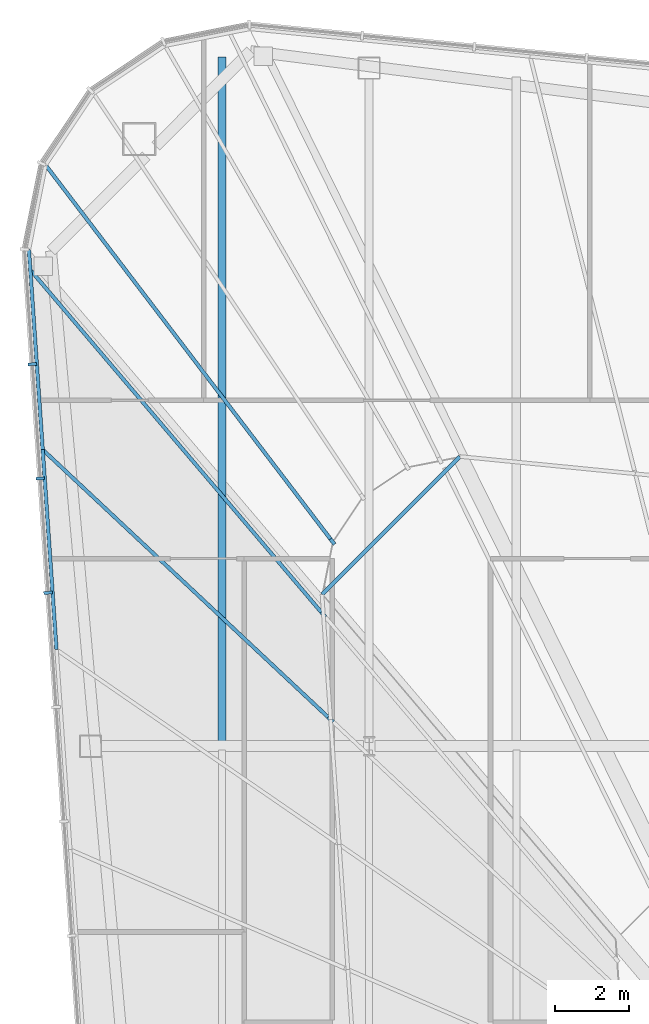
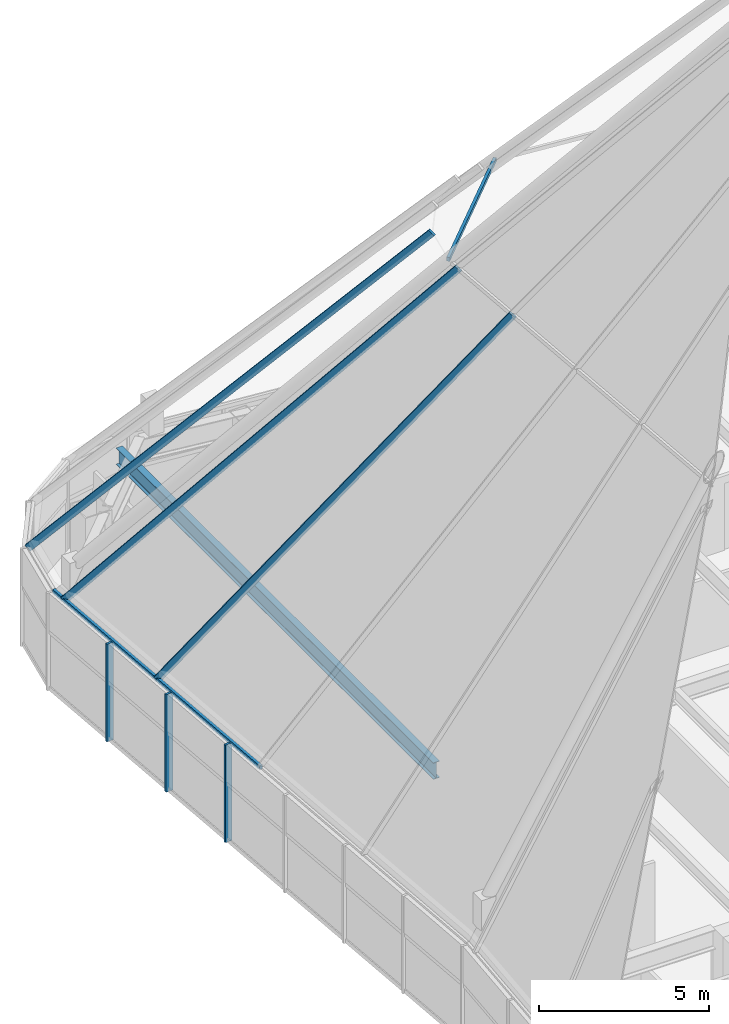
# One storey, part 14 of 28: 9 members, 1 beam, 5 elements without a shape of their own.
"""IFC4 building model written with IfcOpenShell, lengths in metres."""

from ifc_helpers import new_model, si_unit, direction, frame, origin, origin_2d, place, context, subcontext, project, spatial, rectangle, i_section, extrude, material, material_profile, profile_set, type_object, element, aggregate, save


model = new_model("IFC4")

# Units and contexts
model_context = context("Model", 3, precision=1e-05, world=origin(), true_north=direction((0.0, 1.0)))
body_context = subcontext(model_context, "Body", "Model", "MODEL_VIEW")
ifc_project = project(units=[si_unit("LENGTHUNIT", "METRE"), si_unit("AREAUNIT", "SQUARE_METRE"), si_unit("VOLUMEUNIT", "CUBIC_METRE"), si_unit("PLANEANGLEUNIT", "RADIAN"), si_unit("MASSUNIT", "GRAM", prefix="KILO")], contexts=[model_context])

# Site, building, storey
site_placement = place(None, origin())
site = spatial("IfcSite", under=ifc_project, at=site_placement, CompositionType="ELEMENT")
building_placement = place(site_placement, origin())
building = spatial("IfcBuilding", under=site, at=building_placement, Name="Verdant Reach Tower", CompositionType="ELEMENT")
storey_placement = place(building_placement, frame((0.0, 0.0, 368.0)))
storey = spatial("IfcBuildingStorey", under=building, at=storey_placement, Name="L83 Crown plant", CompositionType="ELEMENT", Elevation=368.0)

# Curtain wall, members
ifc_material_1 = material(Name="Anodised aluminium", Category="aluminium")
curtain_wall_type_1 = type_object("IfcCurtainWallType", Name="EN-CW SYSTEM PLANT", PredefinedType="NOTDEFINED", material=ifc_material_1)
curtain_wall_1_placement = place(storey_placement, origin())
curtain_wall_1 = element("IfcCurtainWall", 1, at=curtain_wall_1_placement, inside=storey, type_object=curtain_wall_type_1, Name="Curtain wall west, L83", PredefinedType="NOTDEFINED")
ifc_material_profile_1 = material_profile(ifc_material_1, rectangle(XDim=0.238037109375, YDim=0.080078125, at=origin_2d()), Name="Mullion 80x240")
ifc_profile_set_1 = profile_set([ifc_material_profile_1], Name="Anodised aluminium")
member_type_1 = type_object("IfcMemberType", Name="EN-MULLION PLANT", PredefinedType="MULLION", material=ifc_profile_set_1)
member_1_placement = place(storey_placement, frame((-21.154541015625, 59.884765625, -0.35009765625), z_axis=(0.0, 0.0, 1.0), x_axis=(-0.997630328423, -0.068802091615, 0.0)))
member_1 = element("IfcMember", 2, at=member_1_placement, type_object=member_type_1, Name="Mullion west face part 1 2, L83", PredefinedType="MULLION", context=body_context, shape_type="SweptSolid", body=[
    extrude(rectangle(XDim=0.238037109375, YDim=0.080078125, at=origin_2d()), origin(), (0.0, 0.0, 1.0), 3.5),
])
member_2_placement = place(storey_placement, frame((-20.940185546875, 56.777587890625, -0.35009765625), z_axis=(0.0, 0.0, 1.0), x_axis=(-0.997630328423, -0.068802091615, 0.0)))
member_2 = element("IfcMember", 3, at=member_2_placement, type_object=member_type_1, Name="Mullion west face part 1 3, L83", PredefinedType="MULLION", context=body_context, shape_type="SweptSolid", body=[
    extrude(rectangle(XDim=0.238037109375, YDim=0.080078125, at=origin_2d()), origin(), (0.0, 0.0, 1.0), 3.5),
])
member_3_placement = place(storey_placement, frame((-20.725830078125, 53.67041015625, -0.35009765625), z_axis=(0.0, 0.0, 1.0), x_axis=(-0.997630328423, -0.068802091615, 0.0)))
member_3 = element("IfcMember", 4, at=member_3_placement, type_object=member_type_1, Name="Mullion west face part 1 4, L83", PredefinedType="MULLION", context=body_context, shape_type="SweptSolid", body=[
    extrude(rectangle(XDim=0.238037109375, YDim=0.080078125, at=origin_2d()), origin(), (0.0, 0.0, 1.0), 3.5),
])
aggregate(curtain_wall_1, [member_1, member_2, member_3])

# Curtain wall, member
curtain_wall_type_2 = type_object("IfcCurtainWallType", Name="EN-CW SYSTEM CROWN APEX", PredefinedType="NOTDEFINED", material=ifc_material_1)
curtain_wall_2_placement = place(storey_placement, origin())
curtain_wall_2 = element("IfcCurtainWall", 5, at=curtain_wall_2_placement, inside=storey, type_object=curtain_wall_type_2, Name="Crown glazing unit north-west corner 4, level 01", PredefinedType="NOTDEFINED")
ifc_material_profile_2 = material_profile(ifc_material_1, rectangle(XDim=0.10009765625, YDim=0.239990234375, at=origin_2d()), Name="Mullion 100x240")
ifc_profile_set_2 = profile_set([ifc_material_profile_2], Name="Anodised aluminium")
member_type_2 = type_object("IfcMemberType", Name="EN-RIB MULLION CROWN", PredefinedType="MULLION", material=ifc_profile_set_2)
member_4_placement = place(storey_placement, frame((-20.793212890625, 65.296142578125, 3.14990234375), z_axis=(0.3977784095, -0.522188470633, 0.754381560004), x_axis=(0.795490078723, 0.605966611831, 0.0)))
member_4 = element("IfcMember", 6, at=member_4_placement, type_object=member_type_2, Name="Crown mullion north-west corner 4, level 01", PredefinedType="MULLION", context=body_context, shape_type="SweptSolid", body=[
    extrude(rectangle(XDim=0.10009765625, YDim=0.239990234375, at=origin_2d()), origin(), (0.0, 0.0, 1.0), 19.602294921875),
])
aggregate(curtain_wall_2, [member_4])

curtain_wall_3_placement = place(storey_placement, origin())
curtain_wall_3 = element("IfcCurtainWall", 7, at=curtain_wall_3_placement, inside=storey, type_object=curtain_wall_type_2, Name="Crown glazing unit west face part 1 1, level 01", PredefinedType="NOTDEFINED")
member_5_placement = place(storey_placement, frame((-21.212158203125, 62.451416015625, 3.14990234375), z_axis=(0.414239399635, -0.487340470159, 0.768703444727), x_axis=(0.761939317759, 0.647648420096, 0.0)))
member_5 = element("IfcMember", 8, at=member_5_placement, type_object=member_type_2, Name="Crown mullion west face part 1 1, level 01", PredefinedType="MULLION", context=body_context, shape_type="SweptSolid", body=[
    extrude(rectangle(XDim=0.10009765625, YDim=0.239990234375, at=origin_2d()), origin(), (0.0, 0.0, 1.0), 19.237060546875),
])

curtain_wall_4_placement = place(storey_placement, origin())
curtain_wall_4 = element("IfcCurtainWall", 9, at=curtain_wall_4_placement, inside=storey, type_object=curtain_wall_type_2, Name="Crown glazing unit west face part 1 2, level 01", PredefinedType="NOTDEFINED")
member_6_placement = place(storey_placement, frame((-20.875, 57.5625, 3.14990234375), z_axis=(0.428484421162, -0.401543783903, 0.80942182478), x_axis=(0.683795774699, 0.729673446484, 0.0)))
member_6 = element("IfcMember", 10, at=member_6_placement, type_object=member_type_2, Name="Crown mullion west face part 1 2, level 01", PredefinedType="MULLION", context=body_context, shape_type="SweptSolid", body=[
    extrude(rectangle(XDim=0.10009765625, YDim=0.239990234375, at=origin_2d()), origin(), (0.0, 0.0, 1.0), 18.269287109375),
])

# Member
ifc_material_profile_3 = material_profile(ifc_material_1, rectangle(XDim=0.10009765625, YDim=0.139892578125, at=origin_2d()), Name="Transom 140x100")
ifc_profile_set_3 = profile_set([ifc_material_profile_3], Name="Anodised aluminium")
member_type_3 = type_object("IfcMemberType", Name="EN-TRANSOM CROWN", PredefinedType="USERDEFINED", material=ifc_profile_set_3)
member_7_placement = place(storey_placement, frame((-21.25, 63.0, 3.14990234375), z_axis=(0.068802091615, -0.997630328423, 0.0), x_axis=(0.997630328423, 0.068802091615, 0.0)))
member_7 = element("IfcMember", 11, at=member_7_placement, type_object=member_type_3, Name="Crown transom west face part 1 1, level 01", ObjectType="TRANSOM", PredefinedType="USERDEFINED", context=body_context, shape_type="SweptSolid", body=[
    extrude(rectangle(XDim=0.10009765625, YDim=0.139892578125, at=origin_2d()), origin(), (0.0, 0.0, 1.0), 5.450439453125),
])

aggregate(curtain_wall_3, [member_5, member_7])

member_8_placement = place(storey_placement, frame((-20.875, 57.5625, 3.14990234375), z_axis=(0.068802091615, -0.997630328423, 0.0), x_axis=(0.997630328423, 0.068802091615, 0.0)))
member_8 = element("IfcMember", 12, at=member_8_placement, type_object=member_type_3, Name="Crown transom west face part 1 2, level 01", ObjectType="TRANSOM", PredefinedType="USERDEFINED", context=body_context, shape_type="SweptSolid", body=[
    extrude(rectangle(XDim=0.10009765625, YDim=0.139892578125, at=origin_2d()), origin(), (0.0, 0.0, 1.0), 5.450439453125),
])

aggregate(curtain_wall_4, [member_6, member_8])

# Curtain wall, member
curtain_wall_5_placement = place(storey_placement, origin())
curtain_wall_5 = element("IfcCurtainWall", 13, at=curtain_wall_5_placement, inside=storey, type_object=curtain_wall_type_2, Name="Crown glazing unit north-west corner 1, level 02", PredefinedType="NOTDEFINED")
member_9_placement = place(storey_placement, frame((-9.53125, 57.375, 17.9375), z_axis=(-0.707106781187, -0.707106781187, 0.0), x_axis=(0.707106781187, -0.707106781187, 0.0)))
member_9 = element("IfcMember", 14, at=member_9_placement, type_object=member_type_3, Name="Crown transom north-west corner 1, level 02", ObjectType="TRANSOM", PredefinedType="USERDEFINED", context=body_context, shape_type="SweptSolid", body=[
    extrude(rectangle(XDim=0.10009765625, YDim=0.139892578125, at=origin_2d()), origin(), (0.0, 0.0, 1.0), 5.30322265625),
])
aggregate(curtain_wall_5, [member_9])

# Beam
ifc_material_2 = material(Name="Steel S355", Category="steel")
ifc_material_profile_4 = material_profile(ifc_material_2, i_section(OverallWidth=0.219970703125, OverallDepth=0.60009765625, WebThickness=0.011962890625, FlangeThickness=0.01904296875, FilletRadius=0.02392578125, at=origin_2d()), Name="IPE 600")
ifc_profile_set_4 = profile_set([ifc_material_profile_4], Name="Steel S355")
beam_type = type_object("IfcBeamType", Name="ST-JOIST-IPE600", PredefinedType="JOIST", material=ifc_profile_set_4)
beam_placement = place(storey_placement, frame((-16.0, 49.60009765625, 3.0), z_axis=(0.0, 1.0, 0.0), x_axis=(-1.0, 0.0, 0.0)))
element("IfcBeam", 15, at=beam_placement, inside=storey, type_object=beam_type, Name="Floor joist, L83 Crown plant", PredefinedType="JOIST", context=body_context, shape_type="SweptSolid", body=[
    extrude(i_section(OverallWidth=0.219970703125, OverallDepth=0.60009765625, WebThickness=0.011962890625, FlangeThickness=0.01904296875, FilletRadius=0.02392578125, at=origin_2d()), origin(), (0.0, 0.0, 1.0), 18.638916015625),
])

save(model, "model.ifc")
